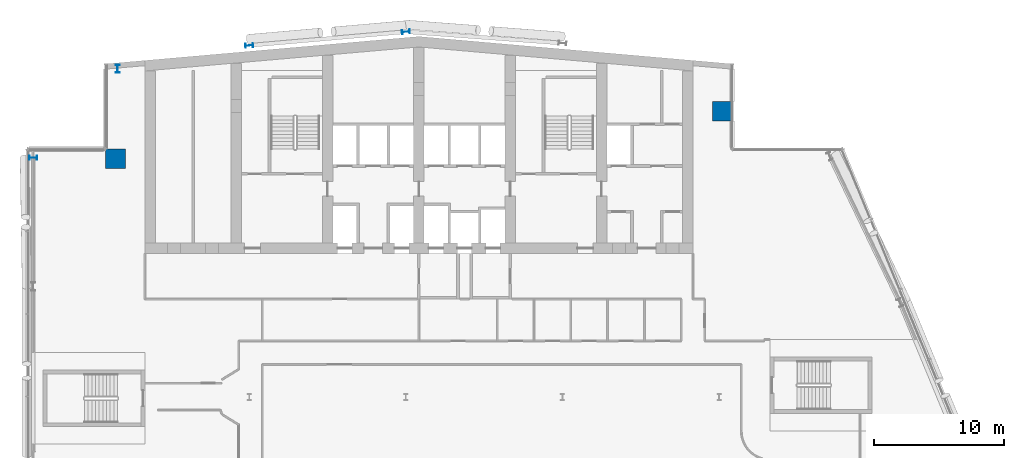
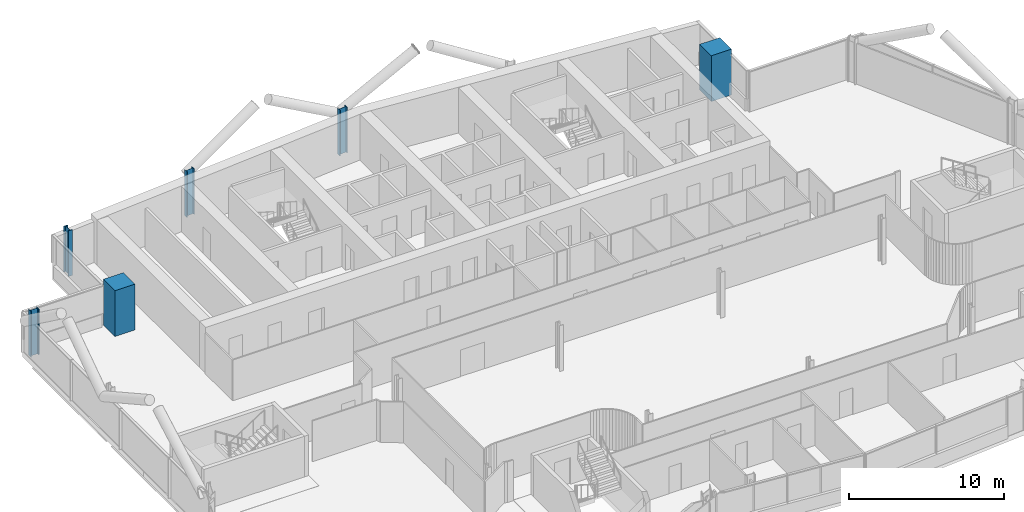
# One storey, part 3 of 29: 6 columns.
"""IFC4 building model written with IfcOpenShell, lengths in metres."""

from ifc_helpers import new_model, si_unit, direction, frame, origin, origin_2d, place, context, subcontext, project, spatial, rectangle, i_section, extrude, material, material_profile, profile_set, type_object, element, save


model = new_model("IFC4")

# Units and contexts
model_context = context("Model", 3, precision=1e-05, world=origin(), true_north=direction((0.0, 1.0)))
body_context = subcontext(model_context, "Body", "Model", "MODEL_VIEW")
ifc_project = project(units=[si_unit("LENGTHUNIT", "METRE"), si_unit("AREAUNIT", "SQUARE_METRE"), si_unit("VOLUMEUNIT", "CUBIC_METRE"), si_unit("PLANEANGLEUNIT", "RADIAN"), si_unit("MASSUNIT", "GRAM", prefix="KILO")], contexts=[model_context])

# Site, building, storey
site_placement = place(None, origin())
site = spatial("IfcSite", under=ifc_project, at=site_placement, CompositionType="ELEMENT")
building_placement = place(site_placement, origin())
building = spatial("IfcBuilding", under=site, at=building_placement, Name="Wharfspan Tower", CompositionType="ELEMENT")
storey_placement = place(building_placement, frame((0.0, 0.0, 162.699951)))
storey = spatial("IfcBuildingStorey", under=building, at=storey_placement, Name="L39", CompositionType="ELEMENT", Elevation=162.699951)

# Columns
ifc_material_1 = material(Name="Steel S355J2", Category="steel")
ifc_material_profile_1 = material_profile(ifc_material_1, i_section(OverallWidth=0.300049, OverallDepth=0.600098, WebThickness=0.015381, FlangeThickness=0.030029, FilletRadius=0.0271, at=origin_2d()))
ifc_profile_set_1 = profile_set([ifc_material_profile_1], Name="Steel S355J2")
column_type_1 = type_object("IfcColumnType", Name="Column HEB 600", PredefinedType="COLUMN", material=ifc_profile_set_1)
for number, where, z_axis, x_axis, name in (
    (1, (24.0, 49.937256, 0.0), (0.0, 0.0, 1.0), (-0.087156, 0.996198, 0.0), "Rear column R.1 L39"),
    (2, (36.0, 50.987061, 0.0), (0.0, 0.0, 1.0), (-0.087156, 0.996198, 0.0), "Rear column R.2 L39"),
):
    element("IfcColumn", number, at=place(storey_placement, frame(where, z_axis=z_axis, x_axis=x_axis)), inside=storey, type_object=column_type_1, Name=name, PredefinedType="COLUMN", context=body_context, shape_type="SweptSolid", body=[
        extrude(i_section(OverallWidth=0.300049, OverallDepth=0.600098, WebThickness=0.015381, FlangeThickness=0.030029, FilletRadius=0.0271, at=origin_2d()), origin(), (0.0, 0.0, 1.0), 3.600098),
    ])
ifc_material_profile_2 = material_profile(ifc_material_1, i_section(OverallWidth=0.304932, OverallDepth=0.620117, WebThickness=0.020996, FlangeThickness=0.040039, FilletRadius=0.0271, at=origin_2d()))
ifc_profile_set_2 = profile_set([ifc_material_profile_2], Name="Steel S355J2")
column_type_2 = type_object("IfcColumnType", Name="Column HEM 600", PredefinedType="COLUMN", material=ifc_profile_set_2)
for number, where, z_axis, x_axis, name in (
    (3, (13.911133, 48.141113, 0.0), (0.0, 0.0, 1.0), (-1.0, 0.0, 0.0), "Perimeter column PNRW-V.1 L39"),
    (4, (7.450439, 41.333008, 0.0), (0.0, 0.0, 1.0), (0.0, 1.0, 0.0), "Perimeter column PNRW-H.1 L39"),
):
    element("IfcColumn", number, at=place(storey_placement, frame(where, z_axis=z_axis, x_axis=x_axis)), inside=storey, type_object=column_type_2, Name=name, PredefinedType="COLUMN", context=body_context, shape_type="SweptSolid", body=[
        extrude(i_section(OverallWidth=0.304932, OverallDepth=0.620117, WebThickness=0.020996, FlangeThickness=0.040039, FilletRadius=0.0271, at=origin_2d()), origin(), (0.0, 0.0, 1.0), 3.600098),
    ])
ifc_material_2 = material(Name="Concrete C60/75", Category="concrete")
ifc_material_profile_3 = material_profile(ifc_material_2, rectangle(XDim=1.5, YDim=1.5, at=origin_2d()))
ifc_profile_set_3 = profile_set([ifc_material_profile_3], Name="Concrete C60/75")
column_type_3 = type_object("IfcColumnType", Name="Mega column 1500 C60/75", PredefinedType="COLUMN", material=ifc_profile_set_3)
for number, where, z_axis, x_axis, name in (
    (5, (13.75, 41.25, 0.0), (0.0, 0.0, 1.0), (1.0, 0.0, 0.0), "Mega column MC2 L39"),
    (6, (60.25, 44.899902, 0.0), (0.0, 0.0, 1.0), (1.0, 0.0, 0.0), "Mega column MC3 L39"),
):
    element("IfcColumn", number, at=place(storey_placement, frame(where, z_axis=z_axis, x_axis=x_axis)), inside=storey, type_object=column_type_3, Name=name, PredefinedType="COLUMN", context=body_context, shape_type="SweptSolid", body=[
        extrude(rectangle(XDim=1.5, YDim=1.5, at=origin_2d()), origin(), (0.0, 0.0, 1.0), 3.600098),
    ])

save(model, "model.ifc")
